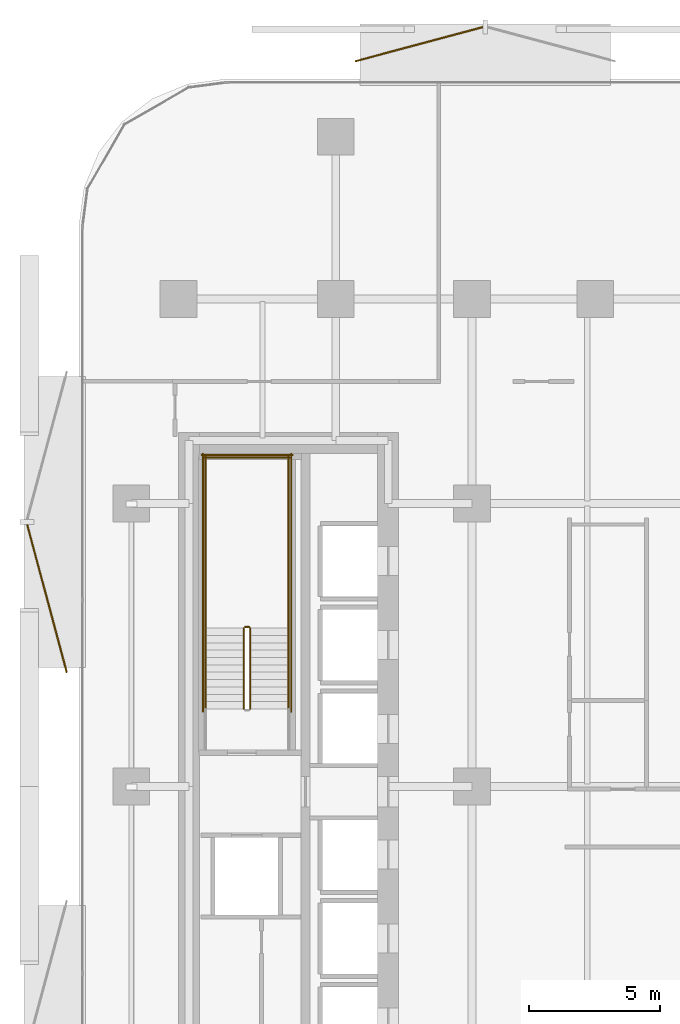
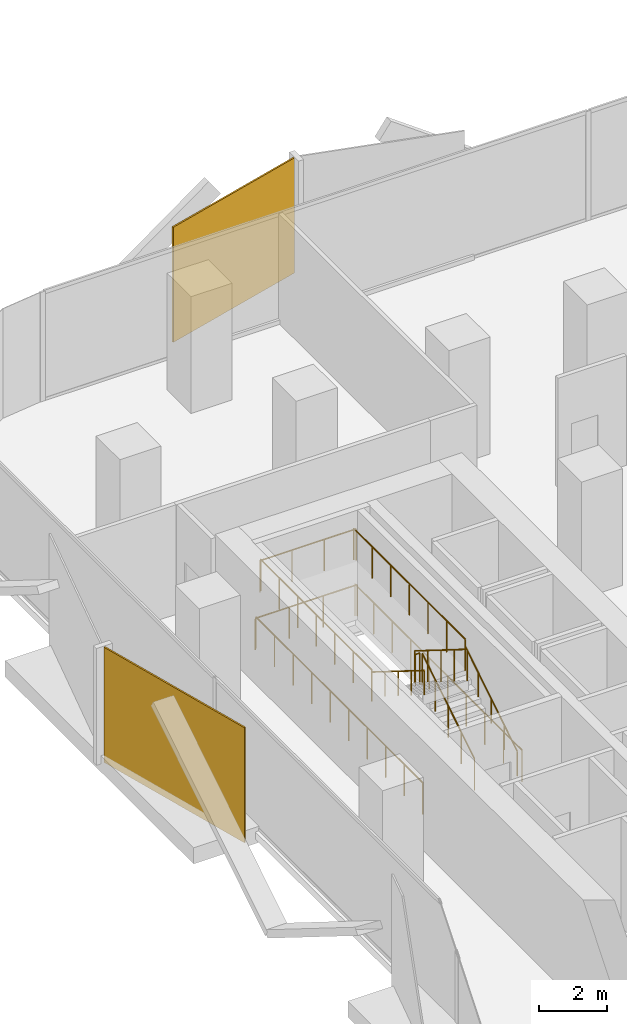
# One storey, part 14 of 15: 11 railings, 2 coverings.
"""IFC4 building model written with IfcOpenShell, lengths in metres."""

from ifc_helpers import new_model, si_unit, direction, frame, origin, origin_2d, place, context, subcontext, project, spatial, rectangle, circle, extrude, material, layer, layer_set, type_object, element, save


model = new_model("IFC4")

# Units and contexts
model_context = context("Model", 3, precision=1e-05, world=origin(), true_north=direction((0.0, 1.0)))
body_context = subcontext(model_context, "Body", "Model", "MODEL_VIEW")
ifc_project = project(units=[si_unit("LENGTHUNIT", "METRE"), si_unit("AREAUNIT", "SQUARE_METRE"), si_unit("VOLUMEUNIT", "CUBIC_METRE"), si_unit("PLANEANGLEUNIT", "RADIAN"), si_unit("MASSUNIT", "GRAM", prefix="KILO")], contexts=[model_context])

# Site, building, storey
site_placement = place(None, origin())
site = spatial("IfcSite", under=ifc_project, at=site_placement, CompositionType="ELEMENT")
building_placement = place(site_placement, origin())
building = spatial("IfcBuilding", under=site, at=building_placement, Name="Khairoan Windgate Tower", CompositionType="ELEMENT")
storey_placement = place(building_placement, frame((0.0, 0.0, 51.199951171875)))
storey = spatial("IfcBuildingStorey", under=building, at=storey_placement, Name="L12", CompositionType="ELEMENT", Elevation=51.199951171875)

# Coverings
ifc_material_1 = material(Name="Anodised Bronze Aluminium 6063-T6", Category="aluminium")
ifc_layer = layer(ifc_material_1, 0.054931640625, Name="Anodised Bronze Aluminium 6063-T6")
ifc_layer_set = layer_set([ifc_layer], Name="Anodised Bronze Aluminium 6063-T6")
covering_type = type_object("IfcCoveringType", Name="Perforated Bronze-Ceramic Folded Solar Screen Cladding BSC-1", PredefinedType="CLADDING", material=ifc_layer_set)
covering_1_placement = place(storey_placement, frame((-25.42236328125, 7.177734375, -0.10009765625), z_axis=(0.0, 0.0, 1.0), x_axis=(-0.258819045103, 0.965925826289, 0.0)))
element("IfcCovering", 1, at=covering_1_placement, inside=storey, type_object=covering_type, Name="L12 Folded Bronze Solar Screen Facet 52L", PredefinedType="CLADDING", context=body_context, shape_type="SweptSolid", body=[
    extrude(rectangle(XDim=5.85498046875, YDim=0.054931640625, at=origin_2d()), origin(), (0.0, 0.0, 1.0), 4.139892578125),
])
covering_2_placement = place(storey_placement, frame((-11.220947265625, 28.327392578125, -0.10009765625), z_axis=(0.0, 0.0, 1.0), x_axis=(0.965925826289, 0.258819045103, 0.0)))
element("IfcCovering", 2, at=covering_2_placement, inside=storey, type_object=covering_type, Name="L12 Folded Bronze Solar Screen Facet 53L", PredefinedType="CLADDING", context=body_context, shape_type="SweptSolid", body=[
    extrude(rectangle(XDim=5.04296875, YDim=0.054931640625, at=origin_2d()), origin(), (0.0, 0.0, 1.0), 4.139892578125),
])

# Railings
ifc_material_2 = material(Name="Anodised Bronze Aluminium 6063-T6", Category="aluminium")
railing_type_1 = type_object("IfcRailingType", Name="Stair Wall Handrail SHR-900", PredefinedType="HANDRAIL", material=ifc_material_2)
railing_1_placement = place(storey_placement, frame((-16.199951171875, 2.9599609375, 0.175048828125)))
element("IfcRailing", 3, at=railing_1_placement, inside=storey, type_object=railing_type_1, Name="L12 ST2 stair handrail 1", PredefinedType="HANDRAIL", context=body_context, shape_type="SweptSolid", body=[
    extrude(circle(Radius=0.02392578125, at=origin_2d()), frame((0.0, 0.0, 0.8759765625), z_axis=(0.0, 0.847998304005, 0.529998940003), x_axis=(-1.0, 0.0, 0.0)), (0.0, 0.0, 1.0), 3.632080078125),
    extrude(circle(Radius=0.02099609375, at=origin_2d()), origin(), (0.0, 0.0, 1.0), 0.851806640625),
    extrude(circle(Radius=0.02099609375, at=origin_2d()), frame((0.0, 0.77001953125, 0.481201171875)), (0.0, 0.0, 1.0), 0.851806640625),
    extrude(circle(Radius=0.02099609375, at=origin_2d()), frame((0.0, 1.5400390625, 0.96240234375)), (0.0, 0.0, 1.0), 0.851806640625),
    extrude(circle(Radius=0.02099609375, at=origin_2d()), frame((0.0, 2.31005859375, 1.44384765625)), (0.0, 0.0, 1.0), 0.851806640625),
    extrude(circle(Radius=0.02099609375, at=origin_2d()), frame((0.0, 3.080078125, 1.925048828125)), (0.0, 0.0, 1.0), 0.851806640625),
])
railing_2_placement = place(storey_placement, frame((-19.3701171875, 6.0400390625, 2.275146484375)))
element("IfcRailing", 4, at=railing_2_placement, inside=storey, type_object=railing_type_1, Name="L12 ST2 stair handrail 2", PredefinedType="HANDRAIL", context=body_context, shape_type="SweptSolid", body=[
    extrude(circle(Radius=0.02392578125, at=origin_2d()), frame((0.0, 0.0, 0.8759765625), z_axis=(0.0, -0.848028513186, 0.529950602248), x_axis=(1.0, 0.0, 0.0)), (0.0, 0.0, 1.0), 3.632080078125),
    extrude(circle(Radius=0.02099609375, at=origin_2d()), origin(), (0.0, 0.0, 1.0), 0.851806640625),
    extrude(circle(Radius=0.02099609375, at=origin_2d()), frame((0.0, -0.77001953125, 0.481201171875)), (0.0, 0.0, 1.0), 0.851806640625),
    extrude(circle(Radius=0.02099609375, at=origin_2d()), frame((0.0, -1.5400390625, 0.96240234375)), (0.0, 0.0, 1.0), 0.851806640625),
    extrude(circle(Radius=0.02099609375, at=origin_2d()), frame((0.0, -2.31005859375, 1.443603515625)), (0.0, 0.0, 1.0), 0.851806640625),
    extrude(circle(Radius=0.02099609375, at=origin_2d()), frame((0.0, -3.080078125, 1.9248046875)), (0.0, 0.0, 1.0), 0.851806640625),
])
ifc_material_3 = material(Name="Steel S355", Category="steel")
railing_type_2 = type_object("IfcRailingType", Name="Stairwell Safety Guardrail SGR-1150", PredefinedType="GUARDRAIL", material=ifc_material_3)
railing_3_placement = place(storey_placement, frame((-17.659912109375, 2.9599609375, 0.175048828125)))
element("IfcRailing", 5, at=railing_3_placement, inside=storey, type_object=railing_type_2, Name="L12 ST2 stair guard 1", PredefinedType="GUARDRAIL", context=body_context, shape_type="SweptSolid", body=[
    extrude(circle(Radius=0.02392578125, at=origin_2d()), frame((0.0, 0.0, 1.1259765625), z_axis=(0.0, 0.847998304005, 0.529998940003), x_axis=(-1.0, 0.0, 0.0)), (0.0, 0.0, 1.0), 3.632080078125),
    extrude(circle(Radius=0.02099609375, at=origin_2d()), origin(), (0.0, 0.0, 1.0), 1.101806640625),
    extrude(circle(Radius=0.02099609375, at=origin_2d()), frame((0.0, 0.77001953125, 0.481201171875)), (0.0, 0.0, 1.0), 1.101806640625),
    extrude(circle(Radius=0.02099609375, at=origin_2d()), frame((0.0, 1.5400390625, 0.96240234375)), (0.0, 0.0, 1.0), 1.101806640625),
    extrude(circle(Radius=0.02099609375, at=origin_2d()), frame((0.0, 2.31005859375, 1.44384765625)), (0.0, 0.0, 1.0), 1.101806640625),
    extrude(circle(Radius=0.02099609375, at=origin_2d()), frame((0.0, 3.080078125, 1.925048828125)), (0.0, 0.0, 1.0), 1.101806640625),
])
railing_4_placement = place(storey_placement, frame((-17.7099609375, 6.090087890625, 2.10009765625)))
element("IfcRailing", 6, at=railing_4_placement, inside=storey, type_object=railing_type_2, Name="L12 ST2 stair guard 2", PredefinedType="GUARDRAIL", context=body_context, shape_type="SweptSolid", body=[
    extrude(circle(Radius=0.02392578125, at=origin_2d()), frame((0.0, 0.0, 1.1259765625), z_axis=(-1.0, 0.0, 0.0), x_axis=(0.0, -1.0, 0.0)), (0.0, 0.0, 1.0), 0.150146484375),
    extrude(circle(Radius=0.02099609375, at=origin_2d()), origin(), (0.0, 0.0, 1.0), 1.101806640625),
    extrude(circle(Radius=0.02099609375, at=origin_2d()), frame((-0.150146484375, 0.0, 0.0)), (0.0, 0.0, 1.0), 1.101806640625),
])
for number, where, name in (
    (7, (-16.199951171875, 6.0400390625, 2.10009765625), "L12 ST2 stair guard 3"),
    (8, (-19.3701171875, 6.0400390625, 2.10009765625), "L12 ST2 stair guard 4"),
):
    element("IfcRailing", number, at=place(storey_placement, frame(where)), inside=storey, type_object=railing_type_2, Name=name, PredefinedType="GUARDRAIL", context=body_context, shape_type="SweptSolid", body=[
        extrude(circle(Radius=0.02392578125, at=origin_2d()), frame((0.0, 0.0, 1.1259765625), z_axis=(0.0, 1.0, 0.0), x_axis=(-1.0, 0.0, 0.0)), (0.0, 0.0, 1.0), 6.56005859375),
        extrude(circle(Radius=0.02099609375, at=origin_2d()), origin(), (0.0, 0.0, 1.0), 1.101806640625),
        extrude(circle(Radius=0.02099609375, at=origin_2d()), frame((0.0, 1.09326171875, 0.0)), (0.0, 0.0, 1.0), 1.101806640625),
        extrude(circle(Radius=0.02099609375, at=origin_2d()), frame((0.0, 2.186767578125, 0.0)), (0.0, 0.0, 1.0), 1.101806640625),
        extrude(circle(Radius=0.02099609375, at=origin_2d()), frame((0.0, 3.280029296875, 0.0)), (0.0, 0.0, 1.0), 1.101806640625),
        extrude(circle(Radius=0.02099609375, at=origin_2d()), frame((0.0, 4.373291015625, 0.0)), (0.0, 0.0, 1.0), 1.101806640625),
        extrude(circle(Radius=0.02099609375, at=origin_2d()), frame((0.0, 5.466796875, 0.0)), (0.0, 0.0, 1.0), 1.101806640625),
        extrude(circle(Radius=0.02099609375, at=origin_2d()), frame((0.0, 6.56005859375, 0.0)), (0.0, 0.0, 1.0), 1.101806640625),
    ])
railing_5_placement = place(storey_placement, frame((-16.14990234375, 12.550048828125, 2.10009765625)))
element("IfcRailing", 9, at=railing_5_placement, inside=storey, type_object=railing_type_2, Name="L12 ST2 stair guard 5", PredefinedType="GUARDRAIL", context=body_context, shape_type="SweptSolid", body=[
    extrude(circle(Radius=0.02392578125, at=origin_2d()), frame((0.0, 0.0, 1.1259765625), z_axis=(-1.0, 0.0, 0.0), x_axis=(0.0, -1.0, 0.0)), (0.0, 0.0, 1.0), 3.27001953125),
    extrude(circle(Radius=0.02099609375, at=origin_2d()), origin(), (0.0, 0.0, 1.0), 1.101806640625),
    extrude(circle(Radius=0.02099609375, at=origin_2d()), frame((-1.090087890625, 0.0, 0.0)), (0.0, 0.0, 1.0), 1.101806640625),
    extrude(circle(Radius=0.02099609375, at=origin_2d()), frame((-2.179931640625, 0.0, 0.0)), (0.0, 0.0, 1.0), 1.101806640625),
    extrude(circle(Radius=0.02099609375, at=origin_2d()), frame((-3.27001953125, 0.0, 0.0)), (0.0, 0.0, 1.0), 1.101806640625),
])
railing_6_placement = place(storey_placement, frame((-17.909912109375, 6.0400390625, 2.275146484375)))
element("IfcRailing", 10, at=railing_6_placement, inside=storey, type_object=railing_type_2, Name="L12 ST2 stair guard 6", PredefinedType="GUARDRAIL", context=body_context, shape_type="SweptSolid", body=[
    extrude(circle(Radius=0.02392578125, at=origin_2d()), frame((0.0, 0.0, 1.1259765625), z_axis=(0.0, -0.848028513186, 0.529950602248), x_axis=(1.0, 0.0, 0.0)), (0.0, 0.0, 1.0), 3.632080078125),
    extrude(circle(Radius=0.02099609375, at=origin_2d()), origin(), (0.0, 0.0, 1.0), 1.101806640625),
    extrude(circle(Radius=0.02099609375, at=origin_2d()), frame((0.0, -0.77001953125, 0.481201171875)), (0.0, 0.0, 1.0), 1.101806640625),
    extrude(circle(Radius=0.02099609375, at=origin_2d()), frame((0.0, -1.5400390625, 0.96240234375)), (0.0, 0.0, 1.0), 1.101806640625),
    extrude(circle(Radius=0.02099609375, at=origin_2d()), frame((0.0, -2.31005859375, 1.443603515625)), (0.0, 0.0, 1.0), 1.101806640625),
    extrude(circle(Radius=0.02099609375, at=origin_2d()), frame((0.0, -3.080078125, 1.9248046875)), (0.0, 0.0, 1.0), 1.101806640625),
])
for number, where, name in (
    (11, (-16.10009765625, 2.860107421875, 0.0), "L12 ST2 stair guard 10"),
    (12, (-19.469970703125, 2.860107421875, 0.0), "L12 ST2 stair guard 11"),
):
    element("IfcRailing", number, at=place(storey_placement, frame(where)), inside=storey, type_object=railing_type_2, Name=name, PredefinedType="GUARDRAIL", context=body_context, shape_type="SweptSolid", body=[
        extrude(circle(Radius=0.02392578125, at=origin_2d()), frame((0.0, 0.0, 1.1259765625), z_axis=(0.0, 1.0, 0.0), x_axis=(-1.0, 0.0, 0.0)), (0.0, 0.0, 1.0), 9.83984375),
        extrude(circle(Radius=0.02099609375, at=origin_2d()), origin(), (0.0, 0.0, 1.0), 1.101806640625),
        extrude(circle(Radius=0.02099609375, at=origin_2d()), frame((0.0, 1.09326171875, 0.0)), (0.0, 0.0, 1.0), 1.101806640625),
        extrude(circle(Radius=0.02099609375, at=origin_2d()), frame((0.0, 2.1865234375, 0.0)), (0.0, 0.0, 1.0), 1.101806640625),
        extrude(circle(Radius=0.02099609375, at=origin_2d()), frame((0.0, 3.280029296875, 0.0)), (0.0, 0.0, 1.0), 1.101806640625),
        extrude(circle(Radius=0.02099609375, at=origin_2d()), frame((0.0, 4.373291015625, 0.0)), (0.0, 0.0, 1.0), 1.101806640625),
        extrude(circle(Radius=0.02099609375, at=origin_2d()), frame((0.0, 5.466552734375, 0.0)), (0.0, 0.0, 1.0), 1.101806640625),
        extrude(circle(Radius=0.02099609375, at=origin_2d()), frame((0.0, 6.559814453125, 0.0)), (0.0, 0.0, 1.0), 1.101806640625),
        extrude(circle(Radius=0.02099609375, at=origin_2d()), frame((0.0, 7.6533203125, 0.0)), (0.0, 0.0, 1.0), 1.101806640625),
        extrude(circle(Radius=0.02099609375, at=origin_2d()), frame((0.0, 8.74658203125, 0.0)), (0.0, 0.0, 1.0), 1.101806640625),
        extrude(circle(Radius=0.02099609375, at=origin_2d()), frame((0.0, 9.83984375, 0.0)), (0.0, 0.0, 1.0), 1.101806640625),
    ])
railing_7_placement = place(storey_placement, frame((-16.050048828125, 12.64990234375, 0.0)))
element("IfcRailing", 13, at=railing_7_placement, inside=storey, type_object=railing_type_2, Name="L12 ST2 stair guard 12", PredefinedType="GUARDRAIL", context=body_context, shape_type="SweptSolid", body=[
    extrude(circle(Radius=0.02392578125, at=origin_2d()), frame((0.0, 0.0, 1.1259765625), z_axis=(-1.0, 0.0, 0.0), x_axis=(0.0, -1.0, 0.0)), (0.0, 0.0, 1.0), 3.469970703125),
    extrude(circle(Radius=0.02099609375, at=origin_2d()), origin(), (0.0, 0.0, 1.0), 1.101806640625),
    extrude(circle(Radius=0.02099609375, at=origin_2d()), frame((-1.15673828125, 0.0, 0.0)), (0.0, 0.0, 1.0), 1.101806640625),
    extrude(circle(Radius=0.02099609375, at=origin_2d()), frame((-2.313232421875, 0.0, 0.0)), (0.0, 0.0, 1.0), 1.101806640625),
    extrude(circle(Radius=0.02099609375, at=origin_2d()), frame((-3.469970703125, 0.0, 0.0)), (0.0, 0.0, 1.0), 1.101806640625),
])

save(model, "model.ifc")
